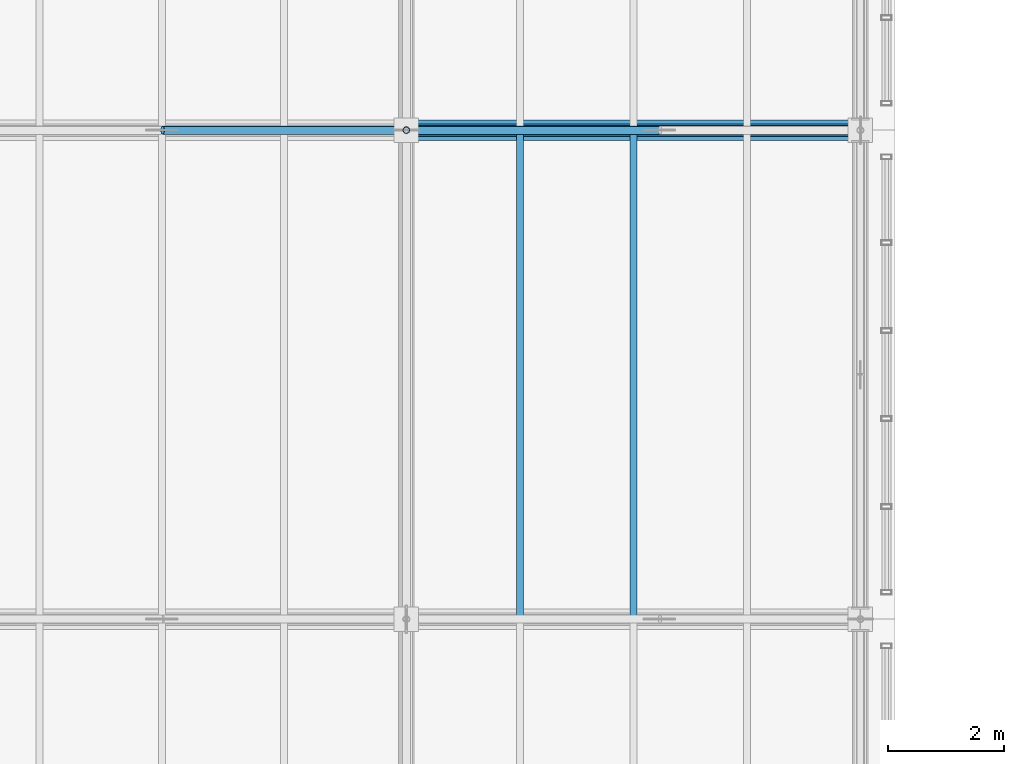
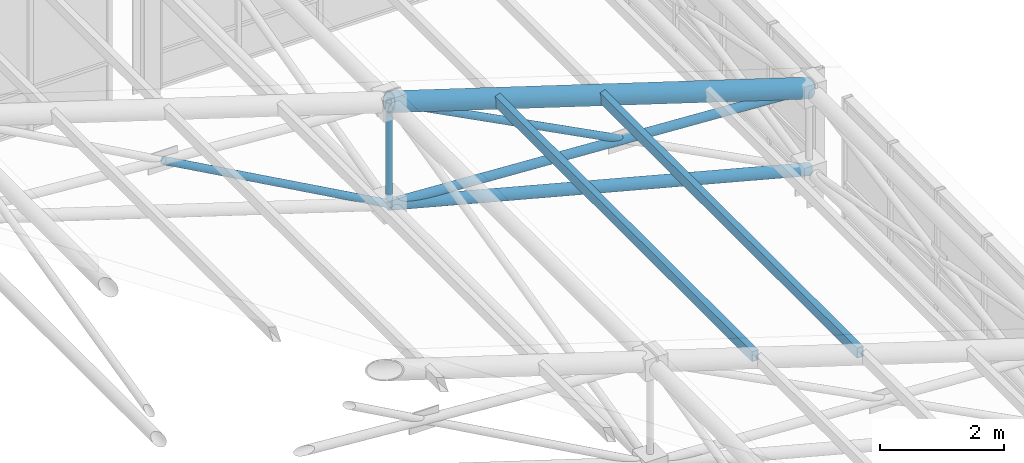
# One storey, part 100 of 144: 8 members.
"""IFC4 building model written with IfcOpenShell, lengths in metres."""

from ifc_helpers import new_model, si_unit, direction, frame, origin, origin_2d, place, context, subcontext, project, spatial, hollow_rectangle, hollow_circle, extrude, material, material_profile, profile_set, type_object, element, save


model = new_model("IFC4")

# Units and contexts
model_context = context("Model", 3, precision=1e-05, world=origin(), true_north=direction((0.0, 1.0)))
body_context = subcontext(model_context, "Body", "Model", "MODEL_VIEW")
ifc_project = project(units=[si_unit("LENGTHUNIT", "METRE"), si_unit("AREAUNIT", "SQUARE_METRE"), si_unit("VOLUMEUNIT", "CUBIC_METRE"), si_unit("PLANEANGLEUNIT", "RADIAN"), si_unit("MASSUNIT", "GRAM", prefix="KILO")], contexts=[model_context])

# Site, building, storey
site_placement = place(None, origin())
site = spatial("IfcSite", under=ifc_project, at=site_placement, CompositionType="ELEMENT")
building_placement = place(site_placement, origin())
building = spatial("IfcBuilding", under=site, at=building_placement, Name="Zayran Congress Hotel", CompositionType="ELEMENT")
storey_placement = place(building_placement, frame((0.0, 0.0, 19.199951171875)))
storey = spatial("IfcBuildingStorey", under=building, at=storey_placement, Name="L04", CompositionType="ELEMENT", Elevation=19.199951171875)

# Members
ifc_material = material(Name="Steel S355", Category="steel")
ifc_material_profile_1 = material_profile(ifc_material, hollow_circle(Radius=0.177734375, WallThickness=0.01611328125, at=origin_2d()), Name="CHS 355.6x16")
ifc_profile_set_1 = profile_set([ifc_material_profile_1], Name="Steel S355")
member_type_1 = type_object("IfcMemberType", Name="TP-SF-TC1", PredefinedType="CHORD", material=ifc_profile_set_1)
member_1_placement = place(storey_placement, frame((84.0, 109.60009765625, 4.652099609375), z_axis=(0.953669693314, 0.0, -0.300855639892), x_axis=(0.0, 1.0, 0.0)))
element("IfcMember", 1, at=member_1_placement, inside=storey, type_object=member_type_1, Name="Space Frame Top Chord X 530", PredefinedType="CHORD", context=body_context, shape_type="SweptSolid", body=[
    extrude(hollow_circle(Radius=0.177734375, WallThickness=0.01611328125, at=origin_2d()), origin(), (0.0, 0.0, 1.0), 8.178955078125),
])
ifc_material_profile_2 = material_profile(ifc_material, hollow_circle(Radius=0.109619140625, WallThickness=0.010009765625, at=origin_2d()), Name="CHS 219.1x10")
ifc_profile_set_2 = profile_set([ifc_material_profile_2], Name="Steel S355")
member_type_2 = type_object("IfcMemberType", Name="TP-SF-BC1", PredefinedType="CHORD", material=ifc_profile_set_2)
member_2_placement = place(storey_placement, frame((84.0, 109.60009765625, 2.650146484375), z_axis=(0.967153699015, 0.0, -0.254192294301), x_axis=(0.0, 1.0, 0.0)))
element("IfcMember", 2, at=member_2_placement, inside=storey, type_object=member_type_2, Name="Space Frame Bottom Chord X 531", PredefinedType="CHORD", context=body_context, shape_type="SweptSolid", body=[
    extrude(hollow_circle(Radius=0.109619140625, WallThickness=0.010009765625, at=origin_2d()), origin(), (0.0, 0.0, 1.0), 8.06494140625),
])
ifc_material_profile_3 = material_profile(ifc_material, hollow_circle(Radius=0.084228515625, WallThickness=0.008056640625, at=origin_2d()), Name="CHS 168.3x8")
ifc_profile_set_3 = profile_set([ifc_material_profile_3], Name="Steel S355")
member_type_3 = type_object("IfcMemberType", Name="TP-SF-DG1", PredefinedType="BRACE", material=ifc_profile_set_3)
member_3_placement = place(storey_placement, frame((84.0, 109.60009765625, 2.650146484375), z_axis=(0.998275019581, 0.0, -0.058711032013), x_axis=(0.0, 1.0, 0.0)))
element("IfcMember", 3, at=member_3_placement, inside=storey, type_object=member_type_3, Name="Space Frame Web Diagonal X 532", PredefinedType="BRACE", context=body_context, shape_type="SweptSolid", body=[
    extrude(hollow_circle(Radius=0.084228515625, WallThickness=0.008056640625, at=origin_2d()), origin(), (0.0, 0.0, 1.0), 7.8134765625),
])
ifc_material_profile_4 = material_profile(ifc_material, hollow_circle(Radius=0.06982421875, WallThickness=0.00634765625, at=origin_2d()), Name="CHS 139.7x6.3")
ifc_profile_set_4 = profile_set([ifc_material_profile_4], Name="Steel S355")
member_type_4 = type_object("IfcMemberType", Name="TP-SF-DG2", PredefinedType="BRACE", material=ifc_profile_set_4)
member_4_placement = place(storey_placement, frame((79.81298828125, 109.60009765625, 4.96875), z_axis=(0.874822952575, 0.0, -0.484442774379), x_axis=(0.0, 1.0, 0.0)))
element("IfcMember", 4, at=member_4_placement, inside=storey, type_object=member_type_4, Name="Space Frame Counter Diagonal X Lower 74", PredefinedType="BRACE", context=body_context, shape_type="SweptSolid", body=[
    extrude(hollow_circle(Radius=0.06982421875, WallThickness=0.00634765625, at=origin_2d()), origin(), (0.0, 0.0, 1.0), 4.7861328125),
])
member_5_placement = place(storey_placement, frame((84.0, 109.60009765625, 4.652099609375), z_axis=(0.887399308867, 0.0, -0.461001590694), x_axis=(0.0, 1.0, 0.0)))
element("IfcMember", 5, at=member_5_placement, inside=storey, type_object=member_type_4, Name="Space Frame Counter Diagonal X Upper 533", PredefinedType="BRACE", context=body_context, shape_type="SweptSolid", body=[
    extrude(hollow_circle(Radius=0.06982421875, WallThickness=0.00634765625, at=origin_2d()), origin(), (0.0, 0.0, 1.0), 4.88232421875),
])
ifc_material_profile_5 = material_profile(ifc_material, hollow_circle(Radius=0.05712890625, WallThickness=0.00634765625, at=origin_2d()), Name="CHS 114.3x6.3")
ifc_profile_set_5 = profile_set([ifc_material_profile_5], Name="Steel S355")
member_type_5 = type_object("IfcMemberType", Name="TP-SF-DG3", PredefinedType="BRACE", material=ifc_profile_set_5)
member_6_placement = place(storey_placement, frame((84.0, 109.60009765625, 2.650146484375), z_axis=(0.0, 0.0, 1.0), x_axis=(0.0, 1.0, 0.0)))
element("IfcMember", 6, at=member_6_placement, inside=storey, type_object=member_type_5, Name="Space Frame Web Strut 537", PredefinedType="BRACE", context=body_context, shape_type="SweptSolid", body=[
    extrude(hollow_circle(Radius=0.05712890625, WallThickness=0.00634765625, at=origin_2d()), origin(), (0.0, 0.0, 1.0), 2.001953125),
])
ifc_material_profile_6 = material_profile(ifc_material, hollow_rectangle(XDim=0.1201171875, YDim=0.199951171875, WallThickness=0.008056640625, at=origin_2d()), Name="RHS 200x120x8")
ifc_profile_set_6 = profile_set([ifc_material_profile_6], Name="Steel S355")
member_type_6 = type_object("IfcMemberType", Name="TP-PR-01", PredefinedType="PURLIN", material=ifc_profile_set_6)
for number, where, z_axis, x_axis, name in (
    (7, (85.949951171875, 101.199951171875, 4.078857421875), (0.0, 1.0, 0.0), (-1.0, 0.0, 0.0), "MEM-PR-V1-0167"),
    (8, (87.89990234375, 101.199951171875, 3.4638671875), (0.0, 1.0, 0.0), (-1.0, 0.0, 0.0), "MEM-PR-V1-0173"),
):
    element("IfcMember", number, at=place(storey_placement, frame(where, z_axis=z_axis, x_axis=x_axis)), inside=storey, type_object=member_type_6, Name=name, PredefinedType="PURLIN", context=body_context, shape_type="SweptSolid", body=[
        extrude(hollow_rectangle(XDim=0.1201171875, YDim=0.199951171875, WallThickness=0.008056640625, at=origin_2d()), origin(), (0.0, 0.0, 1.0), 8.400146484375),
    ])

save(model, "model.ifc")
